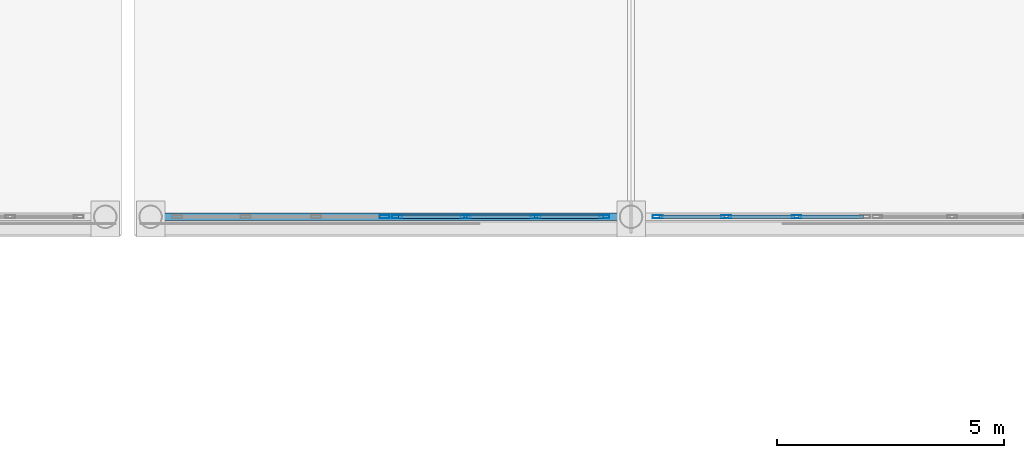
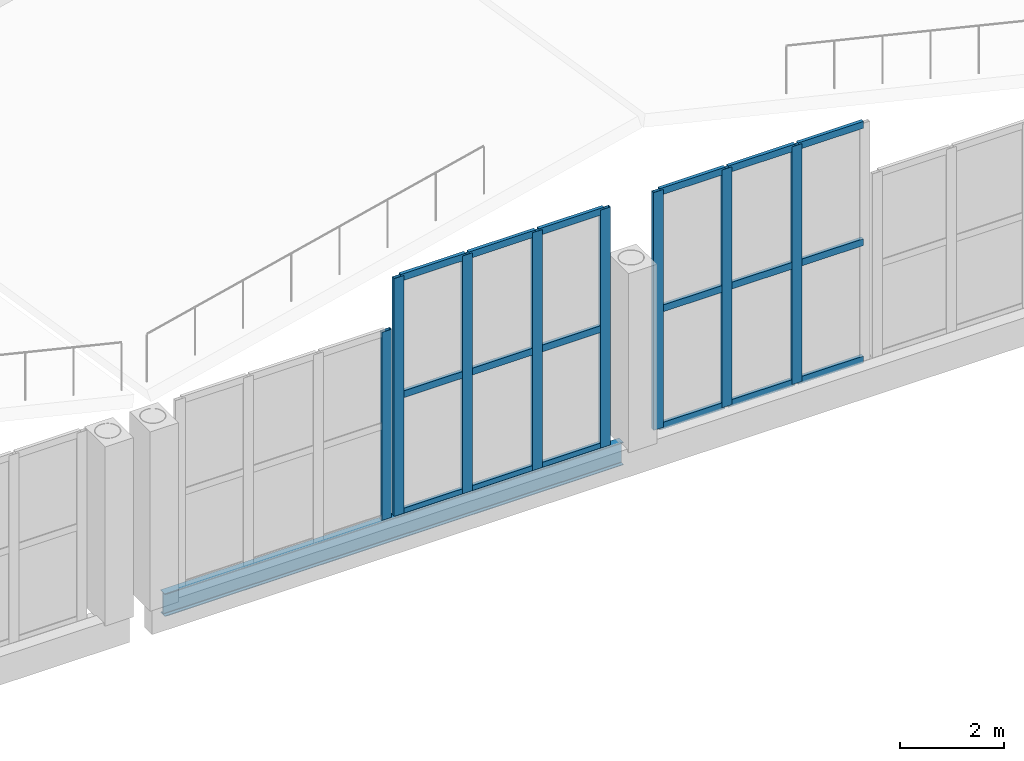
# One storey, part 35 of 120: 26 members, 1 beam, 3 elements without a shape of their own.
"""IFC4 building model written with IfcOpenShell, lengths in metres."""

from ifc_helpers import new_model, si_unit, direction, frame, origin, origin_2d, place, context, subcontext, project, spatial, hollow_rectangle, i_section, extrude, material, material_profile, profile_set, type_object, element, aggregate, save


model = new_model("IFC4")

# Units and contexts
model_context = context("Model", 3, precision=1e-05, world=origin(), true_north=direction((0.0, 1.0)))
body_context = subcontext(model_context, "Body", "Model", "MODEL_VIEW")
ifc_project = project(units=[si_unit("LENGTHUNIT", "METRE"), si_unit("AREAUNIT", "SQUARE_METRE"), si_unit("VOLUMEUNIT", "CUBIC_METRE"), si_unit("PLANEANGLEUNIT", "RADIAN"), si_unit("MASSUNIT", "GRAM", prefix="KILO")], contexts=[model_context])

# Site, building, storey
site_placement = place(None, origin())
site = spatial("IfcSite", under=ifc_project, at=site_placement, CompositionType="ELEMENT")
building_placement = place(site_placement, origin())
building = spatial("IfcBuilding", under=site, at=building_placement, Name="Caurita Quay Ferry Terminal", CompositionType="ELEMENT")
storey_placement = place(building_placement, frame((0.0, 0.0, 9.89990234375)))
storey = spatial("IfcBuildingStorey", under=building, at=storey_placement, Name="L02", CompositionType="ELEMENT", Elevation=9.89990234375)

# Beam
ifc_material_1 = material(Name="Structural steel ASTM A992 Gr. 50", Category="steel")
ifc_material_profile_1 = material_profile(ifc_material_1, i_section(OverallWidth=0.16650390625, OverallDepth=0.535888671875, WebThickness=0.01025390625, FlangeThickness=0.0166015625, FilletRadius=0.013916015625, at=origin_2d()), Name="W21X57")
ifc_profile_set_1 = profile_set([ifc_material_profile_1], Name="Structural steel ASTM A992 Gr. 50")
beam_type = type_object("IfcBeamType", Name="BM-SP-W21B", PredefinedType="SPANDREL", material=ifc_profile_set_1)
beam_placement = place(storey_placement, frame((88.820068359375, 34.60009765625, -0.267822265625), z_axis=(1.0, 0.0, 0.0), x_axis=(0.0, 1.0, 0.0)))
element("IfcBeam", 1, at=beam_placement, inside=storey, type_object=beam_type, Name="V2 Waterside Clerestory Sill Spandrel 89", PredefinedType="SPANDREL", context=body_context, shape_type="SweptSolid", body=[
    extrude(i_section(OverallWidth=0.16650390625, OverallDepth=0.535888671875, WebThickness=0.01025390625, FlangeThickness=0.0166015625, FilletRadius=0.013916015625, at=origin_2d()), origin(), (0.0, 0.0, 1.0), 10.159912109375),
])

# Curtain wall, member
ifc_material_2 = material(Name="Laminated solar-control insulated glass", Category="glass")
curtain_wall_type_1 = type_object("IfcCurtainWallType", Name="CW-SYS-07", PredefinedType="NOTDEFINED", material=ifc_material_2)
curtain_wall_1_placement = place(storey_placement, origin())
curtain_wall_1 = element("IfcCurtainWall", 2, at=curtain_wall_1_placement, inside=storey, type_object=curtain_wall_type_1, Name="Folded Roof Clerestory FB-05-S1", PredefinedType="NOTDEFINED")
ifc_material_3 = material(Name="Anodized aluminium 6063-T6", Category="aluminium")
ifc_material_profile_2 = material_profile(ifc_material_3, hollow_rectangle(XDim=0.074951171875, YDim=0.219970703125, WallThickness=0.00390625, at=origin_2d()), Name="ALU-MUL-75X220")
ifc_profile_set_2 = profile_set([ifc_material_profile_2], Name="Anodized aluminium 6063-T6")
member_type_1 = type_object("IfcMemberType", Name="CW-MUL-220", PredefinedType="MULLION", material=ifc_profile_set_2)
member_1_placement = place(storey_placement, frame((93.762451171875, 34.60009765625, 0.0), z_axis=(0.0, 0.0, 1.0), x_axis=(0.0, 1.0, 0.0)))
member_1 = element("IfcMember", 3, at=member_1_placement, type_object=member_type_1, Name="CW-CLR-033 Mullion 4", PredefinedType="MULLION", context=body_context, shape_type="SweptSolid", body=[
    extrude(hollow_rectangle(XDim=0.074951171875, YDim=0.219970703125, WallThickness=0.00390625, at=origin_2d()), origin(), (0.0, 0.0, 1.0), 4.4091796875),
])
aggregate(curtain_wall_1, [member_1])

# Curtain wall, members
curtain_wall_type_2 = type_object("IfcCurtainWallType", Name="CW-SYS-03", PredefinedType="NOTDEFINED", material=ifc_material_2)
curtain_wall_2_placement = place(storey_placement, origin())
curtain_wall_2 = element("IfcCurtainWall", 4, at=curtain_wall_2_placement, inside=storey, type_object=curtain_wall_type_2, Name="Folded Roof Clerestory FB-05-S2", PredefinedType="NOTDEFINED")
member_2_placement = place(storey_placement, frame((94.03759765625, 34.60009765625, 0.0), z_axis=(0.0, 0.0, 1.0), x_axis=(0.0, 1.0, 0.0)))
member_2 = element("IfcMember", 5, at=member_2_placement, type_object=member_type_1, Name="CW-CLR-034 Mullion 1", PredefinedType="MULLION", context=body_context, shape_type="SweptSolid", body=[
    extrude(hollow_rectangle(XDim=0.074951171875, YDim=0.219970703125, WallThickness=0.00390625, at=origin_2d()), origin(), (0.0, 0.0, 1.0), 5.572998046875),
])
member_3_placement = place(storey_placement, frame((95.550048828125, 34.60009765625, 0.0), z_axis=(0.0, 0.0, 1.0), x_axis=(0.0, 1.0, 0.0)))
member_3 = element("IfcMember", 6, at=member_3_placement, type_object=member_type_1, Name="CW-CLR-034 Mullion 2", PredefinedType="MULLION", context=body_context, shape_type="SweptSolid", body=[
    extrude(hollow_rectangle(XDim=0.074951171875, YDim=0.219970703125, WallThickness=0.00390625, at=origin_2d()), origin(), (0.0, 0.0, 1.0), 5.572998046875),
])
member_4_placement = place(storey_placement, frame((97.10009765625, 34.60009765625, 0.0), z_axis=(0.0, 0.0, 1.0), x_axis=(0.0, 1.0, 0.0)))
member_4 = element("IfcMember", 7, at=member_4_placement, type_object=member_type_1, Name="CW-CLR-034 Mullion 3", PredefinedType="MULLION", context=body_context, shape_type="SweptSolid", body=[
    extrude(hollow_rectangle(XDim=0.074951171875, YDim=0.219970703125, WallThickness=0.00390625, at=origin_2d()), origin(), (0.0, 0.0, 1.0), 5.572998046875),
])
member_5_placement = place(storey_placement, frame((98.612548828125, 34.60009765625, 0.0), z_axis=(0.0, 0.0, 1.0), x_axis=(0.0, 1.0, 0.0)))
member_5 = element("IfcMember", 8, at=member_5_placement, type_object=member_type_1, Name="CW-CLR-034 Mullion 4", PredefinedType="MULLION", context=body_context, shape_type="SweptSolid", body=[
    extrude(hollow_rectangle(XDim=0.074951171875, YDim=0.219970703125, WallThickness=0.00390625, at=origin_2d()), origin(), (0.0, 0.0, 1.0), 5.572998046875),
])

curtain_wall_3_placement = place(storey_placement, origin())
curtain_wall_3 = element("IfcCurtainWall", 9, at=curtain_wall_3_placement, inside=storey, type_object=curtain_wall_type_2, Name="Folded Roof Clerestory FB-05-S3", PredefinedType="NOTDEFINED")
member_6_placement = place(storey_placement, frame((99.78759765625, 34.60009765625, 0.0), z_axis=(0.0, 0.0, 1.0), x_axis=(0.0, 1.0, 0.0)))
member_6 = element("IfcMember", 10, at=member_6_placement, type_object=member_type_1, Name="CW-CLR-035 Mullion 1", PredefinedType="MULLION", context=body_context, shape_type="SweptSolid", body=[
    extrude(hollow_rectangle(XDim=0.074951171875, YDim=0.219970703125, WallThickness=0.00390625, at=origin_2d()), origin(), (0.0, 0.0, 1.0), 5.572998046875),
])
member_7_placement = place(storey_placement, frame((101.300048828125, 34.60009765625, 0.0), z_axis=(0.0, 0.0, 1.0), x_axis=(0.0, 1.0, 0.0)))
member_7 = element("IfcMember", 11, at=member_7_placement, type_object=member_type_1, Name="CW-CLR-035 Mullion 2", PredefinedType="MULLION", context=body_context, shape_type="SweptSolid", body=[
    extrude(hollow_rectangle(XDim=0.074951171875, YDim=0.219970703125, WallThickness=0.00390625, at=origin_2d()), origin(), (0.0, 0.0, 1.0), 5.572998046875),
])
member_8_placement = place(storey_placement, frame((102.85009765625, 34.60009765625, 0.0), z_axis=(0.0, 0.0, 1.0), x_axis=(0.0, 1.0, 0.0)))
member_8 = element("IfcMember", 12, at=member_8_placement, type_object=member_type_1, Name="CW-CLR-035 Mullion 3", PredefinedType="MULLION", context=body_context, shape_type="SweptSolid", body=[
    extrude(hollow_rectangle(XDim=0.074951171875, YDim=0.219970703125, WallThickness=0.00390625, at=origin_2d()), origin(), (0.0, 0.0, 1.0), 5.572998046875),
])

# Member
ifc_material_profile_3 = material_profile(ifc_material_3, hollow_rectangle(XDim=0.074951171875, YDim=0.159912109375, WallThickness=0.00390625, at=origin_2d()), Name="ALU-TRN-75X160")
ifc_profile_set_3 = profile_set([ifc_material_profile_3], Name="Anodized aluminium 6063-T6")
member_type_2 = type_object("IfcMemberType", Name="CW-TRN-160", PredefinedType="USERDEFINED", material=ifc_profile_set_3)
member_9_placement = place(storey_placement, frame((94.072998046875, 34.60009765625, 0.03759765625), z_axis=(1.0, 0.0, 0.0), x_axis=(0.0, 1.0, 0.0)))
member_9 = element("IfcMember", 13, at=member_9_placement, type_object=member_type_2, Name="CW-CLR-034 Transom 1", ObjectType="TRANSOM", PredefinedType="USERDEFINED", context=body_context, shape_type="SweptSolid", body=[
    extrude(hollow_rectangle(XDim=0.074951171875, YDim=0.159912109375, WallThickness=0.00390625, at=origin_2d()), origin(), (0.0, 0.0, 1.0), 1.44140625),
])

member_10_placement = place(storey_placement, frame((94.072998046875, 34.60009765625, 2.78662109375), z_axis=(1.0, 0.0, 0.0), x_axis=(0.0, 1.0, 0.0)))
member_10 = element("IfcMember", 14, at=member_10_placement, type_object=member_type_2, Name="CW-CLR-034 Transom 2", ObjectType="TRANSOM", PredefinedType="USERDEFINED", context=body_context, shape_type="SweptSolid", body=[
    extrude(hollow_rectangle(XDim=0.074951171875, YDim=0.159912109375, WallThickness=0.00390625, at=origin_2d()), origin(), (0.0, 0.0, 1.0), 1.44140625),
])

member_11_placement = place(storey_placement, frame((94.072998046875, 34.60009765625, 5.53564453125), z_axis=(1.0, 0.0, 0.0), x_axis=(0.0, 1.0, 0.0)))
member_11 = element("IfcMember", 15, at=member_11_placement, type_object=member_type_2, Name="CW-CLR-034 Transom 3", ObjectType="TRANSOM", PredefinedType="USERDEFINED", context=body_context, shape_type="SweptSolid", body=[
    extrude(hollow_rectangle(XDim=0.074951171875, YDim=0.159912109375, WallThickness=0.00390625, at=origin_2d()), origin(), (0.0, 0.0, 1.0), 1.44140625),
])

member_12_placement = place(storey_placement, frame((95.58544921875, 34.60009765625, 0.03759765625), z_axis=(1.0, 0.0, 0.0), x_axis=(0.0, 1.0, 0.0)))
member_12 = element("IfcMember", 16, at=member_12_placement, type_object=member_type_2, Name="CW-CLR-034 Transom 4", ObjectType="TRANSOM", PredefinedType="USERDEFINED", context=body_context, shape_type="SweptSolid", body=[
    extrude(hollow_rectangle(XDim=0.074951171875, YDim=0.159912109375, WallThickness=0.00390625, at=origin_2d()), origin(), (0.0, 0.0, 1.0), 1.47900390625),
])

member_13_placement = place(storey_placement, frame((95.58544921875, 34.60009765625, 2.78662109375), z_axis=(1.0, 0.0, 0.0), x_axis=(0.0, 1.0, 0.0)))
member_13 = element("IfcMember", 17, at=member_13_placement, type_object=member_type_2, Name="CW-CLR-034 Transom 5", ObjectType="TRANSOM", PredefinedType="USERDEFINED", context=body_context, shape_type="SweptSolid", body=[
    extrude(hollow_rectangle(XDim=0.074951171875, YDim=0.159912109375, WallThickness=0.00390625, at=origin_2d()), origin(), (0.0, 0.0, 1.0), 1.47900390625),
])

member_14_placement = place(storey_placement, frame((95.58544921875, 34.60009765625, 5.53564453125), z_axis=(1.0, 0.0, 0.0), x_axis=(0.0, 1.0, 0.0)))
member_14 = element("IfcMember", 18, at=member_14_placement, type_object=member_type_2, Name="CW-CLR-034 Transom 6", ObjectType="TRANSOM", PredefinedType="USERDEFINED", context=body_context, shape_type="SweptSolid", body=[
    extrude(hollow_rectangle(XDim=0.074951171875, YDim=0.159912109375, WallThickness=0.00390625, at=origin_2d()), origin(), (0.0, 0.0, 1.0), 1.47900390625),
])

member_15_placement = place(storey_placement, frame((97.135498046875, 34.60009765625, 0.03759765625), z_axis=(1.0, 0.0, 0.0), x_axis=(0.0, 1.0, 0.0)))
member_15 = element("IfcMember", 19, at=member_15_placement, type_object=member_type_2, Name="CW-CLR-034 Transom 7", ObjectType="TRANSOM", PredefinedType="USERDEFINED", context=body_context, shape_type="SweptSolid", body=[
    extrude(hollow_rectangle(XDim=0.074951171875, YDim=0.159912109375, WallThickness=0.00390625, at=origin_2d()), origin(), (0.0, 0.0, 1.0), 1.44140625),
])

member_16_placement = place(storey_placement, frame((97.135498046875, 34.60009765625, 2.78662109375), z_axis=(1.0, 0.0, 0.0), x_axis=(0.0, 1.0, 0.0)))
member_16 = element("IfcMember", 20, at=member_16_placement, type_object=member_type_2, Name="CW-CLR-034 Transom 8", ObjectType="TRANSOM", PredefinedType="USERDEFINED", context=body_context, shape_type="SweptSolid", body=[
    extrude(hollow_rectangle(XDim=0.074951171875, YDim=0.159912109375, WallThickness=0.00390625, at=origin_2d()), origin(), (0.0, 0.0, 1.0), 1.44140625),
])

member_17_placement = place(storey_placement, frame((97.135498046875, 34.60009765625, 5.53564453125), z_axis=(1.0, 0.0, 0.0), x_axis=(0.0, 1.0, 0.0)))
member_17 = element("IfcMember", 21, at=member_17_placement, type_object=member_type_2, Name="CW-CLR-034 Transom 9", ObjectType="TRANSOM", PredefinedType="USERDEFINED", context=body_context, shape_type="SweptSolid", body=[
    extrude(hollow_rectangle(XDim=0.074951171875, YDim=0.159912109375, WallThickness=0.00390625, at=origin_2d()), origin(), (0.0, 0.0, 1.0), 1.44140625),
])

aggregate(curtain_wall_2, [member_2, member_3, member_4, member_5, member_9, member_10, member_11, member_12, member_13, member_14, member_15, member_16, member_17])

member_18_placement = place(storey_placement, frame((99.822998046875, 34.60009765625, 0.03759765625), z_axis=(1.0, 0.0, 0.0), x_axis=(0.0, 1.0, 0.0)))
member_18 = element("IfcMember", 22, at=member_18_placement, type_object=member_type_2, Name="CW-CLR-035 Transom 1", ObjectType="TRANSOM", PredefinedType="USERDEFINED", context=body_context, shape_type="SweptSolid", body=[
    extrude(hollow_rectangle(XDim=0.074951171875, YDim=0.159912109375, WallThickness=0.00390625, at=origin_2d()), origin(), (0.0, 0.0, 1.0), 1.44140625),
])

member_19_placement = place(storey_placement, frame((99.822998046875, 34.60009765625, 2.78662109375), z_axis=(1.0, 0.0, 0.0), x_axis=(0.0, 1.0, 0.0)))
member_19 = element("IfcMember", 23, at=member_19_placement, type_object=member_type_2, Name="CW-CLR-035 Transom 2", ObjectType="TRANSOM", PredefinedType="USERDEFINED", context=body_context, shape_type="SweptSolid", body=[
    extrude(hollow_rectangle(XDim=0.074951171875, YDim=0.159912109375, WallThickness=0.00390625, at=origin_2d()), origin(), (0.0, 0.0, 1.0), 1.44140625),
])

member_20_placement = place(storey_placement, frame((99.822998046875, 34.60009765625, 5.53564453125), z_axis=(1.0, 0.0, 0.0), x_axis=(0.0, 1.0, 0.0)))
member_20 = element("IfcMember", 24, at=member_20_placement, type_object=member_type_2, Name="CW-CLR-035 Transom 3", ObjectType="TRANSOM", PredefinedType="USERDEFINED", context=body_context, shape_type="SweptSolid", body=[
    extrude(hollow_rectangle(XDim=0.074951171875, YDim=0.159912109375, WallThickness=0.00390625, at=origin_2d()), origin(), (0.0, 0.0, 1.0), 1.44140625),
])

member_21_placement = place(storey_placement, frame((101.33544921875, 34.60009765625, 0.03759765625), z_axis=(1.0, 0.0, 0.0), x_axis=(0.0, 1.0, 0.0)))
member_21 = element("IfcMember", 25, at=member_21_placement, type_object=member_type_2, Name="CW-CLR-035 Transom 4", ObjectType="TRANSOM", PredefinedType="USERDEFINED", context=body_context, shape_type="SweptSolid", body=[
    extrude(hollow_rectangle(XDim=0.074951171875, YDim=0.159912109375, WallThickness=0.00390625, at=origin_2d()), origin(), (0.0, 0.0, 1.0), 1.47900390625),
])

member_22_placement = place(storey_placement, frame((101.33544921875, 34.60009765625, 2.78662109375), z_axis=(1.0, 0.0, 0.0), x_axis=(0.0, 1.0, 0.0)))
member_22 = element("IfcMember", 26, at=member_22_placement, type_object=member_type_2, Name="CW-CLR-035 Transom 5", ObjectType="TRANSOM", PredefinedType="USERDEFINED", context=body_context, shape_type="SweptSolid", body=[
    extrude(hollow_rectangle(XDim=0.074951171875, YDim=0.159912109375, WallThickness=0.00390625, at=origin_2d()), origin(), (0.0, 0.0, 1.0), 1.47900390625),
])

member_23_placement = place(storey_placement, frame((101.33544921875, 34.60009765625, 5.53564453125), z_axis=(1.0, 0.0, 0.0), x_axis=(0.0, 1.0, 0.0)))
member_23 = element("IfcMember", 27, at=member_23_placement, type_object=member_type_2, Name="CW-CLR-035 Transom 6", ObjectType="TRANSOM", PredefinedType="USERDEFINED", context=body_context, shape_type="SweptSolid", body=[
    extrude(hollow_rectangle(XDim=0.074951171875, YDim=0.159912109375, WallThickness=0.00390625, at=origin_2d()), origin(), (0.0, 0.0, 1.0), 1.47900390625),
])

member_24_placement = place(storey_placement, frame((102.885498046875, 34.60009765625, 0.03759765625), z_axis=(1.0, 0.0, 0.0), x_axis=(0.0, 1.0, 0.0)))
member_24 = element("IfcMember", 28, at=member_24_placement, type_object=member_type_2, Name="CW-CLR-035 Transom 7", ObjectType="TRANSOM", PredefinedType="USERDEFINED", context=body_context, shape_type="SweptSolid", body=[
    extrude(hollow_rectangle(XDim=0.074951171875, YDim=0.159912109375, WallThickness=0.00390625, at=origin_2d()), origin(), (0.0, 0.0, 1.0), 1.44140625),
])

member_25_placement = place(storey_placement, frame((102.885498046875, 34.60009765625, 2.78662109375), z_axis=(1.0, 0.0, 0.0), x_axis=(0.0, 1.0, 0.0)))
member_25 = element("IfcMember", 29, at=member_25_placement, type_object=member_type_2, Name="CW-CLR-035 Transom 8", ObjectType="TRANSOM", PredefinedType="USERDEFINED", context=body_context, shape_type="SweptSolid", body=[
    extrude(hollow_rectangle(XDim=0.074951171875, YDim=0.159912109375, WallThickness=0.00390625, at=origin_2d()), origin(), (0.0, 0.0, 1.0), 1.44140625),
])

member_26_placement = place(storey_placement, frame((102.885498046875, 34.60009765625, 5.53564453125), z_axis=(1.0, 0.0, 0.0), x_axis=(0.0, 1.0, 0.0)))
member_26 = element("IfcMember", 30, at=member_26_placement, type_object=member_type_2, Name="CW-CLR-035 Transom 9", ObjectType="TRANSOM", PredefinedType="USERDEFINED", context=body_context, shape_type="SweptSolid", body=[
    extrude(hollow_rectangle(XDim=0.074951171875, YDim=0.159912109375, WallThickness=0.00390625, at=origin_2d()), origin(), (0.0, 0.0, 1.0), 1.44140625),
])

aggregate(curtain_wall_3, [member_6, member_7, member_8, member_18, member_19, member_20, member_21, member_22, member_23, member_24, member_25, member_26])

save(model, "model.ifc")
